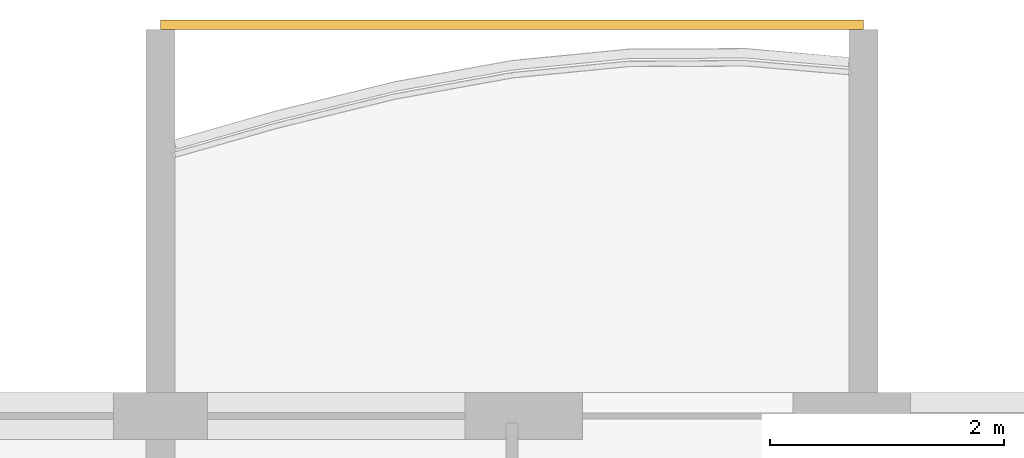
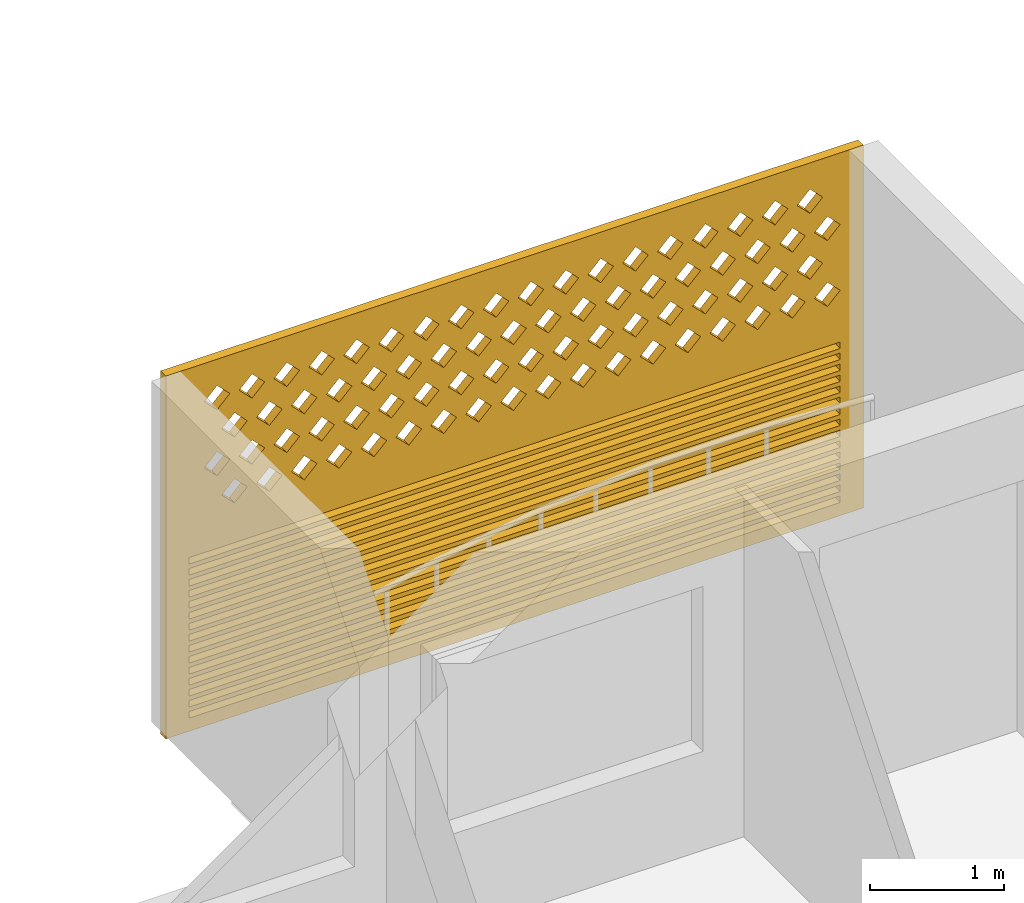
# One storey, part 20 of 26: 1 covering.
"""IFC4 building model written with IfcOpenShell, lengths in metres."""

from ifc_helpers import new_model, si_unit, direction, frame, origin, place, context, subcontext, project, spatial, polyline, outline, extrude, source, transform, mapped, material, material_profile, profile_set, type_object, element, save


model = new_model("IFC4")

# Units and contexts
model_context = context("Model", 3, precision=1e-05, world=origin(), true_north=direction((0.0, 1.0)))
body_context = subcontext(model_context, "Body", "Model", "MODEL_VIEW")
ifc_project = project(units=[si_unit("LENGTHUNIT", "METRE"), si_unit("AREAUNIT", "SQUARE_METRE"), si_unit("VOLUMEUNIT", "CUBIC_METRE"), si_unit("PLANEANGLEUNIT", "RADIAN"), si_unit("MASSUNIT", "GRAM", prefix="KILO")], contexts=[model_context])

# Site, building, storey
site_placement = place(None, origin())
site = spatial("IfcSite", under=ifc_project, at=site_placement, CompositionType="ELEMENT")
building_placement = place(site_placement, origin())
building = spatial("IfcBuilding", under=site, at=building_placement, Name="Poui Terraces", CompositionType="ELEMENT")
storey_placement = place(building_placement, frame((0.0, 0.0, 247.800048828125)))
storey = spatial("IfcBuildingStorey", under=building, at=storey_placement, Name="L69", CompositionType="ELEMENT", Elevation=247.800048828125)

# Covering
ifc_material = material(Name="Terracotta screen", Category="masonry")
ifc_material_profile = material_profile(ifc_material, outline(polyline([(-3.0, -1.64990234375), (3.0, -1.64990234375), (3.0, 1.64990234375), (-3.0, 1.64990234375), (-3.0, -1.64990234375)]), holes=[polyline([(-2.800048828125, 0.39990234375), (-2.68994140625, 0.2900390625), (-2.580078125, 0.39990234375), (-2.68994140625, 0.510009765625), (-2.800048828125, 0.39990234375)]), polyline([(-2.5, 0.39990234375), (-2.389892578125, 0.2900390625), (-2.280029296875, 0.39990234375), (-2.389892578125, 0.510009765625), (-2.5, 0.39990234375)]), polyline([(-2.199951171875, 0.39990234375), (-2.090087890625, 0.2900390625), (-1.97998046875, 0.39990234375), (-2.090087890625, 0.510009765625), (-2.199951171875, 0.39990234375)]), polyline([(-1.89990234375, 0.39990234375), (-1.7900390625, 0.2900390625), (-1.679931640625, 0.39990234375), (-1.7900390625, 0.510009765625), (-1.89990234375, 0.39990234375)]), polyline([(-1.60009765625, 0.39990234375), (-1.489990234375, 0.2900390625), (-1.3798828125, 0.39990234375), (-1.489990234375, 0.510009765625), (-1.60009765625, 0.39990234375)]), polyline([(-1.300048828125, 0.39990234375), (-1.18994140625, 0.2900390625), (-1.080078125, 0.39990234375), (-1.18994140625, 0.510009765625), (-1.300048828125, 0.39990234375)]), polyline([(-1.0, 0.39990234375), (-0.889892578125, 0.2900390625), (-0.780029296875, 0.39990234375), (-0.889892578125, 0.510009765625), (-1.0, 0.39990234375)]), polyline([(-0.699951171875, 0.39990234375), (-0.590087890625, 0.2900390625), (-0.47998046875, 0.39990234375), (-0.590087890625, 0.510009765625), (-0.699951171875, 0.39990234375)]), polyline([(-0.39990234375, 0.39990234375), (-0.2900390625, 0.2900390625), (-0.179931640625, 0.39990234375), (-0.2900390625, 0.510009765625), (-0.39990234375, 0.39990234375)]), polyline([(-0.10009765625, 0.39990234375), (0.010009765625, 0.2900390625), (0.1201171875, 0.39990234375), (0.010009765625, 0.510009765625), (-0.10009765625, 0.39990234375)]), polyline([(0.199951171875, 0.39990234375), (0.31005859375, 0.2900390625), (0.419921875, 0.39990234375), (0.31005859375, 0.510009765625), (0.199951171875, 0.39990234375)]), polyline([(0.5, 0.39990234375), (0.610107421875, 0.2900390625), (0.719970703125, 0.39990234375), (0.610107421875, 0.510009765625), (0.5, 0.39990234375)]), polyline([(0.800048828125, 0.39990234375), (0.909912109375, 0.2900390625), (1.02001953125, 0.39990234375), (0.909912109375, 0.510009765625), (0.800048828125, 0.39990234375)]), polyline([(1.10009765625, 0.39990234375), (1.2099609375, 0.2900390625), (1.320068359375, 0.39990234375), (1.2099609375, 0.510009765625), (1.10009765625, 0.39990234375)]), polyline([(1.39990234375, 0.39990234375), (1.510009765625, 0.2900390625), (1.6201171875, 0.39990234375), (1.510009765625, 0.510009765625), (1.39990234375, 0.39990234375)]), polyline([(1.699951171875, 0.39990234375), (1.81005859375, 0.2900390625), (1.919921875, 0.39990234375), (1.81005859375, 0.510009765625), (1.699951171875, 0.39990234375)]), polyline([(2.0, 0.39990234375), (2.110107421875, 0.2900390625), (2.219970703125, 0.39990234375), (2.110107421875, 0.510009765625), (2.0, 0.39990234375)]), polyline([(2.300048828125, 0.39990234375), (2.409912109375, 0.2900390625), (2.52001953125, 0.39990234375), (2.409912109375, 0.510009765625), (2.300048828125, 0.39990234375)]), polyline([(-2.64990234375, 0.699951171875), (-2.5400390625, 0.590087890625), (-2.429931640625, 0.699951171875), (-2.5400390625, 0.81005859375), (-2.64990234375, 0.699951171875)]), polyline([(-2.35009765625, 0.699951171875), (-2.239990234375, 0.590087890625), (-2.1298828125, 0.699951171875), (-2.239990234375, 0.81005859375), (-2.35009765625, 0.699951171875)]), polyline([(-2.050048828125, 0.699951171875), (-1.93994140625, 0.590087890625), (-1.830078125, 0.699951171875), (-1.93994140625, 0.81005859375), (-2.050048828125, 0.699951171875)]), polyline([(-1.75, 0.699951171875), (-1.639892578125, 0.590087890625), (-1.530029296875, 0.699951171875), (-1.639892578125, 0.81005859375), (-1.75, 0.699951171875)]), polyline([(-1.449951171875, 0.699951171875), (-1.340087890625, 0.590087890625), (-1.22998046875, 0.699951171875), (-1.340087890625, 0.81005859375), (-1.449951171875, 0.699951171875)]), polyline([(-1.14990234375, 0.699951171875), (-1.0400390625, 0.590087890625), (-0.929931640625, 0.699951171875), (-1.0400390625, 0.81005859375), (-1.14990234375, 0.699951171875)]), polyline([(-0.85009765625, 0.699951171875), (-0.739990234375, 0.590087890625), (-0.6298828125, 0.699951171875), (-0.739990234375, 0.81005859375), (-0.85009765625, 0.699951171875)]), polyline([(-0.550048828125, 0.699951171875), (-0.43994140625, 0.590087890625), (-0.330078125, 0.699951171875), (-0.43994140625, 0.81005859375), (-0.550048828125, 0.699951171875)]), polyline([(-0.25, 0.699951171875), (-0.139892578125, 0.590087890625), (-0.030029296875, 0.699951171875), (-0.139892578125, 0.81005859375), (-0.25, 0.699951171875)]), polyline([(0.050048828125, 0.699951171875), (0.159912109375, 0.590087890625), (0.27001953125, 0.699951171875), (0.159912109375, 0.81005859375), (0.050048828125, 0.699951171875)]), polyline([(0.35009765625, 0.699951171875), (0.4599609375, 0.590087890625), (0.570068359375, 0.699951171875), (0.4599609375, 0.81005859375), (0.35009765625, 0.699951171875)]), polyline([(0.64990234375, 0.699951171875), (0.760009765625, 0.590087890625), (0.8701171875, 0.699951171875), (0.760009765625, 0.81005859375), (0.64990234375, 0.699951171875)]), polyline([(0.949951171875, 0.699951171875), (1.06005859375, 0.590087890625), (1.169921875, 0.699951171875), (1.06005859375, 0.81005859375), (0.949951171875, 0.699951171875)]), polyline([(1.25, 0.699951171875), (1.360107421875, 0.590087890625), (1.469970703125, 0.699951171875), (1.360107421875, 0.81005859375), (1.25, 0.699951171875)]), polyline([(1.550048828125, 0.699951171875), (1.659912109375, 0.590087890625), (1.77001953125, 0.699951171875), (1.659912109375, 0.81005859375), (1.550048828125, 0.699951171875)]), polyline([(1.85009765625, 0.699951171875), (1.9599609375, 0.590087890625), (2.070068359375, 0.699951171875), (1.9599609375, 0.81005859375), (1.85009765625, 0.699951171875)]), polyline([(2.14990234375, 0.699951171875), (2.260009765625, 0.590087890625), (2.3701171875, 0.699951171875), (2.260009765625, 0.81005859375), (2.14990234375, 0.699951171875)]), polyline([(2.449951171875, 0.699951171875), (2.56005859375, 0.590087890625), (2.669921875, 0.699951171875), (2.56005859375, 0.81005859375), (2.449951171875, 0.699951171875)]), polyline([(-2.800048828125, 1.0), (-2.68994140625, 0.889892578125), (-2.580078125, 1.0), (-2.68994140625, 1.110107421875), (-2.800048828125, 1.0)]), polyline([(-2.5, 1.0), (-2.389892578125, 0.889892578125), (-2.280029296875, 1.0), (-2.389892578125, 1.110107421875), (-2.5, 1.0)]), polyline([(-2.199951171875, 1.0), (-2.090087890625, 0.889892578125), (-1.97998046875, 1.0), (-2.090087890625, 1.110107421875), (-2.199951171875, 1.0)]), polyline([(-1.89990234375, 1.0), (-1.7900390625, 0.889892578125), (-1.679931640625, 1.0), (-1.7900390625, 1.110107421875), (-1.89990234375, 1.0)]), polyline([(-1.60009765625, 1.0), (-1.489990234375, 0.889892578125), (-1.3798828125, 1.0), (-1.489990234375, 1.110107421875), (-1.60009765625, 1.0)]), polyline([(-1.300048828125, 1.0), (-1.18994140625, 0.889892578125), (-1.080078125, 1.0), (-1.18994140625, 1.110107421875), (-1.300048828125, 1.0)]), polyline([(-1.0, 1.0), (-0.889892578125, 0.889892578125), (-0.780029296875, 1.0), (-0.889892578125, 1.110107421875), (-1.0, 1.0)]), polyline([(-0.699951171875, 1.0), (-0.590087890625, 0.889892578125), (-0.47998046875, 1.0), (-0.590087890625, 1.110107421875), (-0.699951171875, 1.0)]), polyline([(-0.39990234375, 1.0), (-0.2900390625, 0.889892578125), (-0.179931640625, 1.0), (-0.2900390625, 1.110107421875), (-0.39990234375, 1.0)]), polyline([(-0.10009765625, 1.0), (0.010009765625, 0.889892578125), (0.1201171875, 1.0), (0.010009765625, 1.110107421875), (-0.10009765625, 1.0)]), polyline([(0.199951171875, 1.0), (0.31005859375, 0.889892578125), (0.419921875, 1.0), (0.31005859375, 1.110107421875), (0.199951171875, 1.0)]), polyline([(0.5, 1.0), (0.610107421875, 0.889892578125), (0.719970703125, 1.0), (0.610107421875, 1.110107421875), (0.5, 1.0)]), polyline([(0.800048828125, 1.0), (0.909912109375, 0.889892578125), (1.02001953125, 1.0), (0.909912109375, 1.110107421875), (0.800048828125, 1.0)]), polyline([(1.10009765625, 1.0), (1.2099609375, 0.889892578125), (1.320068359375, 1.0), (1.2099609375, 1.110107421875), (1.10009765625, 1.0)]), polyline([(1.39990234375, 1.0), (1.510009765625, 0.889892578125), (1.6201171875, 1.0), (1.510009765625, 1.110107421875), (1.39990234375, 1.0)]), polyline([(1.699951171875, 1.0), (1.81005859375, 0.889892578125), (1.919921875, 1.0), (1.81005859375, 1.110107421875), (1.699951171875, 1.0)]), polyline([(2.0, 1.0), (2.110107421875, 0.889892578125), (2.219970703125, 1.0), (2.110107421875, 1.110107421875), (2.0, 1.0)]), polyline([(2.300048828125, 1.0), (2.409912109375, 0.889892578125), (2.52001953125, 1.0), (2.409912109375, 1.110107421875), (2.300048828125, 1.0)]), polyline([(-2.64990234375, 1.300048828125), (-2.5400390625, 1.18994140625), (-2.429931640625, 1.300048828125), (-2.5400390625, 1.409912109375), (-2.64990234375, 1.300048828125)]), polyline([(-2.35009765625, 1.300048828125), (-2.239990234375, 1.18994140625), (-2.1298828125, 1.300048828125), (-2.239990234375, 1.409912109375), (-2.35009765625, 1.300048828125)]), polyline([(-2.050048828125, 1.300048828125), (-1.93994140625, 1.18994140625), (-1.830078125, 1.300048828125), (-1.93994140625, 1.409912109375), (-2.050048828125, 1.300048828125)]), polyline([(-1.75, 1.300048828125), (-1.639892578125, 1.18994140625), (-1.530029296875, 1.300048828125), (-1.639892578125, 1.409912109375), (-1.75, 1.300048828125)]), polyline([(-1.449951171875, 1.300048828125), (-1.340087890625, 1.18994140625), (-1.22998046875, 1.300048828125), (-1.340087890625, 1.409912109375), (-1.449951171875, 1.300048828125)]), polyline([(-1.14990234375, 1.300048828125), (-1.0400390625, 1.18994140625), (-0.929931640625, 1.300048828125), (-1.0400390625, 1.409912109375), (-1.14990234375, 1.300048828125)]), polyline([(-0.85009765625, 1.300048828125), (-0.739990234375, 1.18994140625), (-0.6298828125, 1.300048828125), (-0.739990234375, 1.409912109375), (-0.85009765625, 1.300048828125)]), polyline([(-0.550048828125, 1.300048828125), (-0.43994140625, 1.18994140625), (-0.330078125, 1.300048828125), (-0.43994140625, 1.409912109375), (-0.550048828125, 1.300048828125)]), polyline([(-0.25, 1.300048828125), (-0.139892578125, 1.18994140625), (-0.030029296875, 1.300048828125), (-0.139892578125, 1.409912109375), (-0.25, 1.300048828125)]), polyline([(0.050048828125, 1.300048828125), (0.159912109375, 1.18994140625), (0.27001953125, 1.300048828125), (0.159912109375, 1.409912109375), (0.050048828125, 1.300048828125)]), polyline([(0.35009765625, 1.300048828125), (0.4599609375, 1.18994140625), (0.570068359375, 1.300048828125), (0.4599609375, 1.409912109375), (0.35009765625, 1.300048828125)]), polyline([(0.64990234375, 1.300048828125), (0.760009765625, 1.18994140625), (0.8701171875, 1.300048828125), (0.760009765625, 1.409912109375), (0.64990234375, 1.300048828125)]), polyline([(0.949951171875, 1.300048828125), (1.06005859375, 1.18994140625), (1.169921875, 1.300048828125), (1.06005859375, 1.409912109375), (0.949951171875, 1.300048828125)]), polyline([(1.25, 1.300048828125), (1.360107421875, 1.18994140625), (1.469970703125, 1.300048828125), (1.360107421875, 1.409912109375), (1.25, 1.300048828125)]), polyline([(1.550048828125, 1.300048828125), (1.659912109375, 1.18994140625), (1.77001953125, 1.300048828125), (1.659912109375, 1.409912109375), (1.550048828125, 1.300048828125)]), polyline([(1.85009765625, 1.300048828125), (1.9599609375, 1.18994140625), (2.070068359375, 1.300048828125), (1.9599609375, 1.409912109375), (1.85009765625, 1.300048828125)]), polyline([(2.14990234375, 1.300048828125), (2.260009765625, 1.18994140625), (2.3701171875, 1.300048828125), (2.260009765625, 1.409912109375), (2.14990234375, 1.300048828125)]), polyline([(2.449951171875, 1.300048828125), (2.56005859375, 1.18994140625), (2.669921875, 1.300048828125), (2.56005859375, 1.409912109375), (2.449951171875, 1.300048828125)]), polyline([(-2.800048828125, -1.530029296875), (2.800048828125, -1.530029296875), (2.800048828125, -1.469970703125), (-2.800048828125, -1.469970703125), (-2.800048828125, -1.530029296875)]), polyline([(-2.800048828125, -1.429931640625), (2.800048828125, -1.429931640625), (2.800048828125, -1.3701171875), (-2.800048828125, -1.3701171875), (-2.800048828125, -1.429931640625)]), polyline([(-2.800048828125, -1.330078125), (2.800048828125, -1.330078125), (2.800048828125, -1.27001953125), (-2.800048828125, -1.27001953125), (-2.800048828125, -1.330078125)]), polyline([(-2.800048828125, -1.22998046875), (2.800048828125, -1.22998046875), (2.800048828125, -1.169921875), (-2.800048828125, -1.169921875), (-2.800048828125, -1.22998046875)]), polyline([(-2.800048828125, -1.1298828125), (2.800048828125, -1.1298828125), (2.800048828125, -1.070068359375), (-2.800048828125, -1.070068359375), (-2.800048828125, -1.1298828125)]), polyline([(-2.800048828125, -1.030029296875), (2.800048828125, -1.030029296875), (2.800048828125, -0.969970703125), (-2.800048828125, -0.969970703125), (-2.800048828125, -1.030029296875)]), polyline([(-2.800048828125, -0.929931640625), (2.800048828125, -0.929931640625), (2.800048828125, -0.8701171875), (-2.800048828125, -0.8701171875), (-2.800048828125, -0.929931640625)]), polyline([(-2.800048828125, -0.830078125), (2.800048828125, -0.830078125), (2.800048828125, -0.77001953125), (-2.800048828125, -0.77001953125), (-2.800048828125, -0.830078125)]), polyline([(-2.800048828125, -0.72998046875), (2.800048828125, -0.72998046875), (2.800048828125, -0.669921875), (-2.800048828125, -0.669921875), (-2.800048828125, -0.72998046875)]), polyline([(-2.800048828125, -0.6298828125), (2.800048828125, -0.6298828125), (2.800048828125, -0.570068359375), (-2.800048828125, -0.570068359375), (-2.800048828125, -0.6298828125)]), polyline([(-2.800048828125, -0.530029296875), (2.800048828125, -0.530029296875), (2.800048828125, -0.469970703125), (-2.800048828125, -0.469970703125), (-2.800048828125, -0.530029296875)]), polyline([(-2.800048828125, -0.429931640625), (2.800048828125, -0.429931640625), (2.800048828125, -0.3701171875), (-2.800048828125, -0.3701171875), (-2.800048828125, -0.429931640625)]), polyline([(-2.800048828125, -0.330078125), (2.800048828125, -0.330078125), (2.800048828125, -0.27001953125), (-2.800048828125, -0.27001953125), (-2.800048828125, -0.330078125)]), polyline([(-2.800048828125, -0.22998046875), (2.800048828125, -0.22998046875), (2.800048828125, -0.169921875), (-2.800048828125, -0.169921875), (-2.800048828125, -0.22998046875)]), polyline([(-2.800048828125, -0.1298828125), (2.800048828125, -0.1298828125), (2.800048828125, -0.070068359375), (-2.800048828125, -0.070068359375), (-2.800048828125, -0.1298828125)])]), Name="TERRACOTTA SCREEN AND JALOUSIE LOUVRE 6000X3300")
ifc_profile_set = profile_set([ifc_material_profile], Name="Terracotta screen")
covering_type = type_object("IfcCoveringType", Name="TERRACOTTA SCREEN AND JALOUSIE LOUVRE 6000X3300", PredefinedType="CLADDING", material=ifc_profile_set)
shared_shape = source(origin(), body_context, "Body", "SweptSolid", [
    extrude(outline(polyline([(-3.0, -1.64990234375), (3.0, -1.64990234375), (3.0, 1.64990234375), (-3.0, 1.64990234375), (-3.0, -1.64990234375)]), holes=[polyline([(-2.800048828125, 0.39990234375), (-2.68994140625, 0.2900390625), (-2.580078125, 0.39990234375), (-2.68994140625, 0.510009765625), (-2.800048828125, 0.39990234375)]), polyline([(-2.5, 0.39990234375), (-2.389892578125, 0.2900390625), (-2.280029296875, 0.39990234375), (-2.389892578125, 0.510009765625), (-2.5, 0.39990234375)]), polyline([(-2.199951171875, 0.39990234375), (-2.090087890625, 0.2900390625), (-1.97998046875, 0.39990234375), (-2.090087890625, 0.510009765625), (-2.199951171875, 0.39990234375)]), polyline([(-1.89990234375, 0.39990234375), (-1.7900390625, 0.2900390625), (-1.679931640625, 0.39990234375), (-1.7900390625, 0.510009765625), (-1.89990234375, 0.39990234375)]), polyline([(-1.60009765625, 0.39990234375), (-1.489990234375, 0.2900390625), (-1.3798828125, 0.39990234375), (-1.489990234375, 0.510009765625), (-1.60009765625, 0.39990234375)]), polyline([(-1.300048828125, 0.39990234375), (-1.18994140625, 0.2900390625), (-1.080078125, 0.39990234375), (-1.18994140625, 0.510009765625), (-1.300048828125, 0.39990234375)]), polyline([(-1.0, 0.39990234375), (-0.889892578125, 0.2900390625), (-0.780029296875, 0.39990234375), (-0.889892578125, 0.510009765625), (-1.0, 0.39990234375)]), polyline([(-0.699951171875, 0.39990234375), (-0.590087890625, 0.2900390625), (-0.47998046875, 0.39990234375), (-0.590087890625, 0.510009765625), (-0.699951171875, 0.39990234375)]), polyline([(-0.39990234375, 0.39990234375), (-0.2900390625, 0.2900390625), (-0.179931640625, 0.39990234375), (-0.2900390625, 0.510009765625), (-0.39990234375, 0.39990234375)]), polyline([(-0.10009765625, 0.39990234375), (0.010009765625, 0.2900390625), (0.1201171875, 0.39990234375), (0.010009765625, 0.510009765625), (-0.10009765625, 0.39990234375)]), polyline([(0.199951171875, 0.39990234375), (0.31005859375, 0.2900390625), (0.419921875, 0.39990234375), (0.31005859375, 0.510009765625), (0.199951171875, 0.39990234375)]), polyline([(0.5, 0.39990234375), (0.610107421875, 0.2900390625), (0.719970703125, 0.39990234375), (0.610107421875, 0.510009765625), (0.5, 0.39990234375)]), polyline([(0.800048828125, 0.39990234375), (0.909912109375, 0.2900390625), (1.02001953125, 0.39990234375), (0.909912109375, 0.510009765625), (0.800048828125, 0.39990234375)]), polyline([(1.10009765625, 0.39990234375), (1.2099609375, 0.2900390625), (1.320068359375, 0.39990234375), (1.2099609375, 0.510009765625), (1.10009765625, 0.39990234375)]), polyline([(1.39990234375, 0.39990234375), (1.510009765625, 0.2900390625), (1.6201171875, 0.39990234375), (1.510009765625, 0.510009765625), (1.39990234375, 0.39990234375)]), polyline([(1.699951171875, 0.39990234375), (1.81005859375, 0.2900390625), (1.919921875, 0.39990234375), (1.81005859375, 0.510009765625), (1.699951171875, 0.39990234375)]), polyline([(2.0, 0.39990234375), (2.110107421875, 0.2900390625), (2.219970703125, 0.39990234375), (2.110107421875, 0.510009765625), (2.0, 0.39990234375)]), polyline([(2.300048828125, 0.39990234375), (2.409912109375, 0.2900390625), (2.52001953125, 0.39990234375), (2.409912109375, 0.510009765625), (2.300048828125, 0.39990234375)]), polyline([(-2.64990234375, 0.699951171875), (-2.5400390625, 0.590087890625), (-2.429931640625, 0.699951171875), (-2.5400390625, 0.81005859375), (-2.64990234375, 0.699951171875)]), polyline([(-2.35009765625, 0.699951171875), (-2.239990234375, 0.590087890625), (-2.1298828125, 0.699951171875), (-2.239990234375, 0.81005859375), (-2.35009765625, 0.699951171875)]), polyline([(-2.050048828125, 0.699951171875), (-1.93994140625, 0.590087890625), (-1.830078125, 0.699951171875), (-1.93994140625, 0.81005859375), (-2.050048828125, 0.699951171875)]), polyline([(-1.75, 0.699951171875), (-1.639892578125, 0.590087890625), (-1.530029296875, 0.699951171875), (-1.639892578125, 0.81005859375), (-1.75, 0.699951171875)]), polyline([(-1.449951171875, 0.699951171875), (-1.340087890625, 0.590087890625), (-1.22998046875, 0.699951171875), (-1.340087890625, 0.81005859375), (-1.449951171875, 0.699951171875)]), polyline([(-1.14990234375, 0.699951171875), (-1.0400390625, 0.590087890625), (-0.929931640625, 0.699951171875), (-1.0400390625, 0.81005859375), (-1.14990234375, 0.699951171875)]), polyline([(-0.85009765625, 0.699951171875), (-0.739990234375, 0.590087890625), (-0.6298828125, 0.699951171875), (-0.739990234375, 0.81005859375), (-0.85009765625, 0.699951171875)]), polyline([(-0.550048828125, 0.699951171875), (-0.43994140625, 0.590087890625), (-0.330078125, 0.699951171875), (-0.43994140625, 0.81005859375), (-0.550048828125, 0.699951171875)]), polyline([(-0.25, 0.699951171875), (-0.139892578125, 0.590087890625), (-0.030029296875, 0.699951171875), (-0.139892578125, 0.81005859375), (-0.25, 0.699951171875)]), polyline([(0.050048828125, 0.699951171875), (0.159912109375, 0.590087890625), (0.27001953125, 0.699951171875), (0.159912109375, 0.81005859375), (0.050048828125, 0.699951171875)]), polyline([(0.35009765625, 0.699951171875), (0.4599609375, 0.590087890625), (0.570068359375, 0.699951171875), (0.4599609375, 0.81005859375), (0.35009765625, 0.699951171875)]), polyline([(0.64990234375, 0.699951171875), (0.760009765625, 0.590087890625), (0.8701171875, 0.699951171875), (0.760009765625, 0.81005859375), (0.64990234375, 0.699951171875)]), polyline([(0.949951171875, 0.699951171875), (1.06005859375, 0.590087890625), (1.169921875, 0.699951171875), (1.06005859375, 0.81005859375), (0.949951171875, 0.699951171875)]), polyline([(1.25, 0.699951171875), (1.360107421875, 0.590087890625), (1.469970703125, 0.699951171875), (1.360107421875, 0.81005859375), (1.25, 0.699951171875)]), polyline([(1.550048828125, 0.699951171875), (1.659912109375, 0.590087890625), (1.77001953125, 0.699951171875), (1.659912109375, 0.81005859375), (1.550048828125, 0.699951171875)]), polyline([(1.85009765625, 0.699951171875), (1.9599609375, 0.590087890625), (2.070068359375, 0.699951171875), (1.9599609375, 0.81005859375), (1.85009765625, 0.699951171875)]), polyline([(2.14990234375, 0.699951171875), (2.260009765625, 0.590087890625), (2.3701171875, 0.699951171875), (2.260009765625, 0.81005859375), (2.14990234375, 0.699951171875)]), polyline([(2.449951171875, 0.699951171875), (2.56005859375, 0.590087890625), (2.669921875, 0.699951171875), (2.56005859375, 0.81005859375), (2.449951171875, 0.699951171875)]), polyline([(-2.800048828125, 1.0), (-2.68994140625, 0.889892578125), (-2.580078125, 1.0), (-2.68994140625, 1.110107421875), (-2.800048828125, 1.0)]), polyline([(-2.5, 1.0), (-2.389892578125, 0.889892578125), (-2.280029296875, 1.0), (-2.389892578125, 1.110107421875), (-2.5, 1.0)]), polyline([(-2.199951171875, 1.0), (-2.090087890625, 0.889892578125), (-1.97998046875, 1.0), (-2.090087890625, 1.110107421875), (-2.199951171875, 1.0)]), polyline([(-1.89990234375, 1.0), (-1.7900390625, 0.889892578125), (-1.679931640625, 1.0), (-1.7900390625, 1.110107421875), (-1.89990234375, 1.0)]), polyline([(-1.60009765625, 1.0), (-1.489990234375, 0.889892578125), (-1.3798828125, 1.0), (-1.489990234375, 1.110107421875), (-1.60009765625, 1.0)]), polyline([(-1.300048828125, 1.0), (-1.18994140625, 0.889892578125), (-1.080078125, 1.0), (-1.18994140625, 1.110107421875), (-1.300048828125, 1.0)]), polyline([(-1.0, 1.0), (-0.889892578125, 0.889892578125), (-0.780029296875, 1.0), (-0.889892578125, 1.110107421875), (-1.0, 1.0)]), polyline([(-0.699951171875, 1.0), (-0.590087890625, 0.889892578125), (-0.47998046875, 1.0), (-0.590087890625, 1.110107421875), (-0.699951171875, 1.0)]), polyline([(-0.39990234375, 1.0), (-0.2900390625, 0.889892578125), (-0.179931640625, 1.0), (-0.2900390625, 1.110107421875), (-0.39990234375, 1.0)]), polyline([(-0.10009765625, 1.0), (0.010009765625, 0.889892578125), (0.1201171875, 1.0), (0.010009765625, 1.110107421875), (-0.10009765625, 1.0)]), polyline([(0.199951171875, 1.0), (0.31005859375, 0.889892578125), (0.419921875, 1.0), (0.31005859375, 1.110107421875), (0.199951171875, 1.0)]), polyline([(0.5, 1.0), (0.610107421875, 0.889892578125), (0.719970703125, 1.0), (0.610107421875, 1.110107421875), (0.5, 1.0)]), polyline([(0.800048828125, 1.0), (0.909912109375, 0.889892578125), (1.02001953125, 1.0), (0.909912109375, 1.110107421875), (0.800048828125, 1.0)]), polyline([(1.10009765625, 1.0), (1.2099609375, 0.889892578125), (1.320068359375, 1.0), (1.2099609375, 1.110107421875), (1.10009765625, 1.0)]), polyline([(1.39990234375, 1.0), (1.510009765625, 0.889892578125), (1.6201171875, 1.0), (1.510009765625, 1.110107421875), (1.39990234375, 1.0)]), polyline([(1.699951171875, 1.0), (1.81005859375, 0.889892578125), (1.919921875, 1.0), (1.81005859375, 1.110107421875), (1.699951171875, 1.0)]), polyline([(2.0, 1.0), (2.110107421875, 0.889892578125), (2.219970703125, 1.0), (2.110107421875, 1.110107421875), (2.0, 1.0)]), polyline([(2.300048828125, 1.0), (2.409912109375, 0.889892578125), (2.52001953125, 1.0), (2.409912109375, 1.110107421875), (2.300048828125, 1.0)]), polyline([(-2.64990234375, 1.300048828125), (-2.5400390625, 1.18994140625), (-2.429931640625, 1.300048828125), (-2.5400390625, 1.409912109375), (-2.64990234375, 1.300048828125)]), polyline([(-2.35009765625, 1.300048828125), (-2.239990234375, 1.18994140625), (-2.1298828125, 1.300048828125), (-2.239990234375, 1.409912109375), (-2.35009765625, 1.300048828125)]), polyline([(-2.050048828125, 1.300048828125), (-1.93994140625, 1.18994140625), (-1.830078125, 1.300048828125), (-1.93994140625, 1.409912109375), (-2.050048828125, 1.300048828125)]), polyline([(-1.75, 1.300048828125), (-1.639892578125, 1.18994140625), (-1.530029296875, 1.300048828125), (-1.639892578125, 1.409912109375), (-1.75, 1.300048828125)]), polyline([(-1.449951171875, 1.300048828125), (-1.340087890625, 1.18994140625), (-1.22998046875, 1.300048828125), (-1.340087890625, 1.409912109375), (-1.449951171875, 1.300048828125)]), polyline([(-1.14990234375, 1.300048828125), (-1.0400390625, 1.18994140625), (-0.929931640625, 1.300048828125), (-1.0400390625, 1.409912109375), (-1.14990234375, 1.300048828125)]), polyline([(-0.85009765625, 1.300048828125), (-0.739990234375, 1.18994140625), (-0.6298828125, 1.300048828125), (-0.739990234375, 1.409912109375), (-0.85009765625, 1.300048828125)]), polyline([(-0.550048828125, 1.300048828125), (-0.43994140625, 1.18994140625), (-0.330078125, 1.300048828125), (-0.43994140625, 1.409912109375), (-0.550048828125, 1.300048828125)]), polyline([(-0.25, 1.300048828125), (-0.139892578125, 1.18994140625), (-0.030029296875, 1.300048828125), (-0.139892578125, 1.409912109375), (-0.25, 1.300048828125)]), polyline([(0.050048828125, 1.300048828125), (0.159912109375, 1.18994140625), (0.27001953125, 1.300048828125), (0.159912109375, 1.409912109375), (0.050048828125, 1.300048828125)]), polyline([(0.35009765625, 1.300048828125), (0.4599609375, 1.18994140625), (0.570068359375, 1.300048828125), (0.4599609375, 1.409912109375), (0.35009765625, 1.300048828125)]), polyline([(0.64990234375, 1.300048828125), (0.760009765625, 1.18994140625), (0.8701171875, 1.300048828125), (0.760009765625, 1.409912109375), (0.64990234375, 1.300048828125)]), polyline([(0.949951171875, 1.300048828125), (1.06005859375, 1.18994140625), (1.169921875, 1.300048828125), (1.06005859375, 1.409912109375), (0.949951171875, 1.300048828125)]), polyline([(1.25, 1.300048828125), (1.360107421875, 1.18994140625), (1.469970703125, 1.300048828125), (1.360107421875, 1.409912109375), (1.25, 1.300048828125)]), polyline([(1.550048828125, 1.300048828125), (1.659912109375, 1.18994140625), (1.77001953125, 1.300048828125), (1.659912109375, 1.409912109375), (1.550048828125, 1.300048828125)]), polyline([(1.85009765625, 1.300048828125), (1.9599609375, 1.18994140625), (2.070068359375, 1.300048828125), (1.9599609375, 1.409912109375), (1.85009765625, 1.300048828125)]), polyline([(2.14990234375, 1.300048828125), (2.260009765625, 1.18994140625), (2.3701171875, 1.300048828125), (2.260009765625, 1.409912109375), (2.14990234375, 1.300048828125)]), polyline([(2.449951171875, 1.300048828125), (2.56005859375, 1.18994140625), (2.669921875, 1.300048828125), (2.56005859375, 1.409912109375), (2.449951171875, 1.300048828125)]), polyline([(-2.800048828125, -1.530029296875), (2.800048828125, -1.530029296875), (2.800048828125, -1.469970703125), (-2.800048828125, -1.469970703125), (-2.800048828125, -1.530029296875)]), polyline([(-2.800048828125, -1.429931640625), (2.800048828125, -1.429931640625), (2.800048828125, -1.3701171875), (-2.800048828125, -1.3701171875), (-2.800048828125, -1.429931640625)]), polyline([(-2.800048828125, -1.330078125), (2.800048828125, -1.330078125), (2.800048828125, -1.27001953125), (-2.800048828125, -1.27001953125), (-2.800048828125, -1.330078125)]), polyline([(-2.800048828125, -1.22998046875), (2.800048828125, -1.22998046875), (2.800048828125, -1.169921875), (-2.800048828125, -1.169921875), (-2.800048828125, -1.22998046875)]), polyline([(-2.800048828125, -1.1298828125), (2.800048828125, -1.1298828125), (2.800048828125, -1.070068359375), (-2.800048828125, -1.070068359375), (-2.800048828125, -1.1298828125)]), polyline([(-2.800048828125, -1.030029296875), (2.800048828125, -1.030029296875), (2.800048828125, -0.969970703125), (-2.800048828125, -0.969970703125), (-2.800048828125, -1.030029296875)]), polyline([(-2.800048828125, -0.929931640625), (2.800048828125, -0.929931640625), (2.800048828125, -0.8701171875), (-2.800048828125, -0.8701171875), (-2.800048828125, -0.929931640625)]), polyline([(-2.800048828125, -0.830078125), (2.800048828125, -0.830078125), (2.800048828125, -0.77001953125), (-2.800048828125, -0.77001953125), (-2.800048828125, -0.830078125)]), polyline([(-2.800048828125, -0.72998046875), (2.800048828125, -0.72998046875), (2.800048828125, -0.669921875), (-2.800048828125, -0.669921875), (-2.800048828125, -0.72998046875)]), polyline([(-2.800048828125, -0.6298828125), (2.800048828125, -0.6298828125), (2.800048828125, -0.570068359375), (-2.800048828125, -0.570068359375), (-2.800048828125, -0.6298828125)]), polyline([(-2.800048828125, -0.530029296875), (2.800048828125, -0.530029296875), (2.800048828125, -0.469970703125), (-2.800048828125, -0.469970703125), (-2.800048828125, -0.530029296875)]), polyline([(-2.800048828125, -0.429931640625), (2.800048828125, -0.429931640625), (2.800048828125, -0.3701171875), (-2.800048828125, -0.3701171875), (-2.800048828125, -0.429931640625)]), polyline([(-2.800048828125, -0.330078125), (2.800048828125, -0.330078125), (2.800048828125, -0.27001953125), (-2.800048828125, -0.27001953125), (-2.800048828125, -0.330078125)]), polyline([(-2.800048828125, -0.22998046875), (2.800048828125, -0.22998046875), (2.800048828125, -0.169921875), (-2.800048828125, -0.169921875), (-2.800048828125, -0.22998046875)]), polyline([(-2.800048828125, -0.1298828125), (2.800048828125, -0.1298828125), (2.800048828125, -0.070068359375), (-2.800048828125, -0.070068359375), (-2.800048828125, -0.1298828125)])]), origin(), (0.0, 0.0, 1.0), 0.080078125),
])
covering_placement = place(storey_placement, frame((51.0, 44.5, 1.449951171875), z_axis=(0.0, 1.0, 0.0), x_axis=(-1.0, 0.0, 0.0)))
element("IfcCovering", 1, at=covering_placement, inside=storey, type_object=covering_type, Name="SOLAR SCREEN AND JALOUSIE LOUVRE", PredefinedType="CLADDING", context=body_context, shape_type="MappedRepresentation", body=[
    mapped(shared_shape, transform((0.0, 0.0, 0.0))),
])

save(model, "model.ifc")
